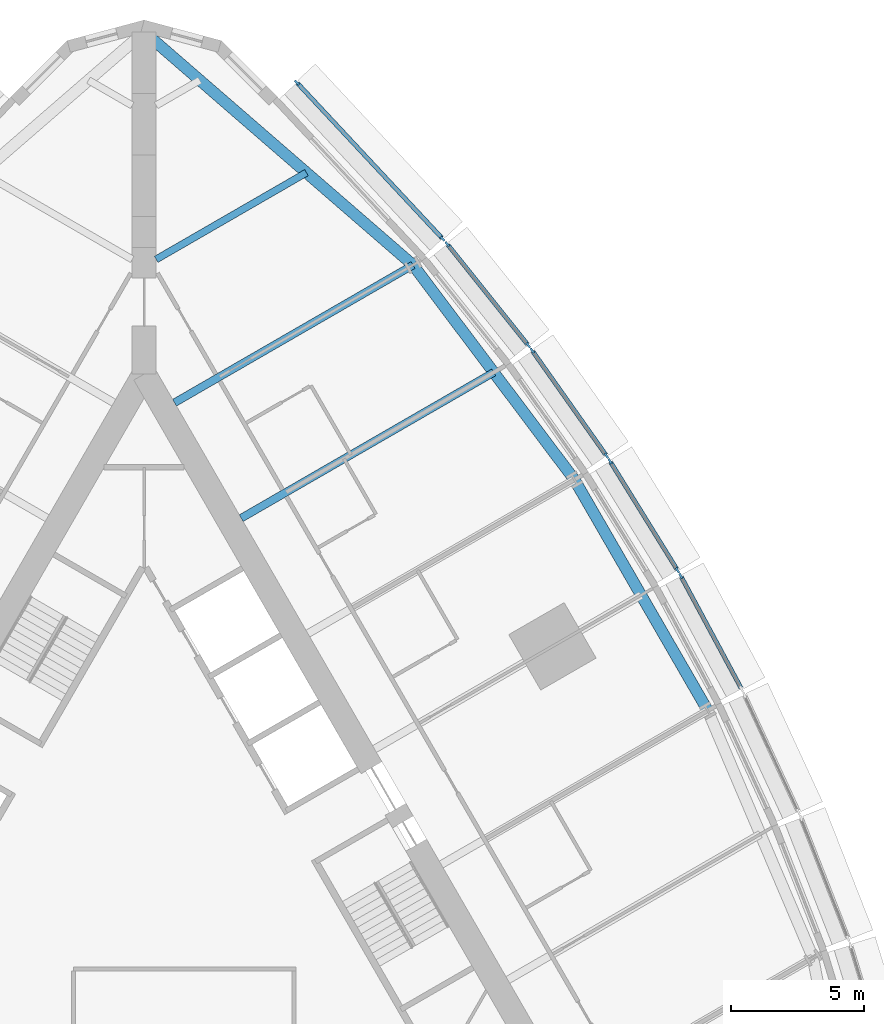
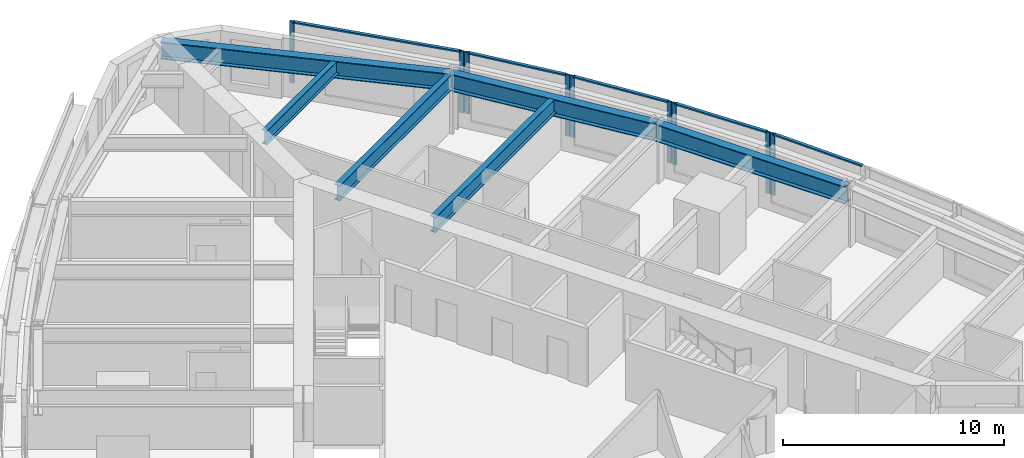
# One storey, part 5 of 14: 14 members, 6 beams, 5 elements without a shape of their own.
"""IFC4 building model written with IfcOpenShell, lengths in metres."""

from ifc_helpers import new_model, si_unit, direction, frame, origin, origin_2d, place, context, subcontext, project, spatial, rectangle, i_section, extrude, material, material_profile, profile_set, type_object, element, aggregate, save


model = new_model("IFC4")

# Units and contexts
model_context = context("Model", 3, precision=1e-05, world=origin(), true_north=direction((0.0, 1.0)))
body_context = subcontext(model_context, "Body", "Model", "MODEL_VIEW")
ifc_project = project(units=[si_unit("LENGTHUNIT", "METRE"), si_unit("AREAUNIT", "SQUARE_METRE"), si_unit("VOLUMEUNIT", "CUBIC_METRE"), si_unit("PLANEANGLEUNIT", "RADIAN"), si_unit("MASSUNIT", "GRAM", prefix="KILO")], contexts=[model_context])

# Site, building, storey
site_placement = place(None, origin())
site = spatial("IfcSite", under=ifc_project, at=site_placement, CompositionType="ELEMENT")
building_placement = place(site_placement, origin())
building = spatial("IfcBuilding", under=site, at=building_placement, Name="Trikona Tower", CompositionType="ELEMENT")
storey_placement = place(building_placement, frame((0.0, 0.0, 69.300048828125)))
storey = spatial("IfcBuildingStorey", under=building, at=storey_placement, Name="L17", CompositionType="ELEMENT", Elevation=69.300048828125)

# Curtain wall, member
ifc_material_1 = material(Name="Aluminium curtain wall system", Category="aluminium")
curtain_wall_type = type_object("IfcCurtainWallType", Name="Curtain wall DS1", PredefinedType="NOTDEFINED", material=ifc_material_1)
curtain_wall_1_placement = place(storey_placement, origin())
curtain_wall_1 = element("IfcCurtainWall", 1, at=curtain_wall_1_placement, inside=storey, type_object=curtain_wall_type, Name="Curtain wall DS1 L17", PredefinedType="NOTDEFINED")
ifc_material_2 = material(Name="Aluminium mullion, pale anodised", Category="aluminium")
ifc_material_profile_1 = material_profile(ifc_material_2, rectangle(XDim=0.080078125, YDim=0.219970703125, at=origin_2d()), Name="MUL-DS1")
ifc_profile_set_1 = profile_set([ifc_material_profile_1], Name="Aluminium mullion, pale anodised")
member_type_1 = type_object("IfcMemberType", Name="Mullion DS1 80x220", PredefinedType="MULLION", material=ifc_profile_set_1)
member_1_placement = place(storey_placement, frame((20.128662109375, 11.474365234375, 0.0), z_axis=(0.0, 0.0, 1.0), x_axis=(-0.880843080975, -0.473408350896, 0.0)))
member_1 = element("IfcMember", 2, at=member_1_placement, type_object=member_type_1, Name="CW-DS1 mullion 2", PredefinedType="MULLION", context=body_context, shape_type="SweptSolid", body=[
    extrude(rectangle(XDim=0.080078125, YDim=0.219970703125, at=origin_2d()), origin(), (0.0, 0.0, 1.0), 3.39990234375),
])

# Curtain wall, members
curtain_wall_2_placement = place(storey_placement, origin())
curtain_wall_2 = element("IfcCurtainWall", 3, at=curtain_wall_2_placement, inside=storey, type_object=curtain_wall_type, Name="Curtain wall DS1 L17", PredefinedType="NOTDEFINED")
member_2_placement = place(storey_placement, frame((20.00146484375, 11.69482421875, 0.0), z_axis=(0.0, 0.0, 1.0), x_axis=(-0.850410468941, -0.526119790842, 0.0)))
member_2 = element("IfcMember", 4, at=member_2_placement, type_object=member_type_1, Name="CW-DS1 mullion 1", PredefinedType="MULLION", context=body_context, shape_type="SweptSolid", body=[
    extrude(rectangle(XDim=0.080078125, YDim=0.219970703125, at=origin_2d()), origin(), (0.0, 0.0, 1.0), 3.39990234375),
])
member_3_placement = place(storey_placement, frame((17.474853515625, 15.77880859375, 0.0), z_axis=(0.0, 0.0, 1.0), x_axis=(-0.850410468941, -0.526119790842, 0.0)))
member_3 = element("IfcMember", 5, at=member_3_placement, type_object=member_type_1, Name="CW-DS1 mullion 2", PredefinedType="MULLION", context=body_context, shape_type="SweptSolid", body=[
    extrude(rectangle(XDim=0.080078125, YDim=0.219970703125, at=origin_2d()), origin(), (0.0, 0.0, 1.0), 3.39990234375),
])

curtain_wall_3_placement = place(storey_placement, origin())
curtain_wall_3 = element("IfcCurtainWall", 6, at=curtain_wall_3_placement, inside=storey, type_object=curtain_wall_type, Name="Curtain wall DS1 L17", PredefinedType="NOTDEFINED")
member_4_placement = place(storey_placement, frame((17.33447265625, 15.990966796875, 0.0), z_axis=(0.0, 0.0, 1.0), x_axis=(-0.816985393055, -0.576658362928, 0.0)))
member_4 = element("IfcMember", 7, at=member_4_placement, type_object=member_type_1, Name="CW-DS1 mullion 1", PredefinedType="MULLION", context=body_context, shape_type="SweptSolid", body=[
    extrude(rectangle(XDim=0.080078125, YDim=0.219970703125, at=origin_2d()), origin(), (0.0, 0.0, 1.0), 3.39990234375),
])
member_5_placement = place(storey_placement, frame((14.554443359375, 19.929443359375, 0.0), z_axis=(0.0, 0.0, 1.0), x_axis=(-0.816985393055, -0.576658362928, 0.0)))
member_5 = element("IfcMember", 8, at=member_5_placement, type_object=member_type_1, Name="CW-DS1 mullion 2", PredefinedType="MULLION", context=body_context, shape_type="SweptSolid", body=[
    extrude(rectangle(XDim=0.080078125, YDim=0.219970703125, at=origin_2d()), origin(), (0.0, 0.0, 1.0), 3.39990234375),
])

curtain_wall_4_placement = place(storey_placement, origin())
curtain_wall_4 = element("IfcCurtainWall", 9, at=curtain_wall_4_placement, inside=storey, type_object=curtain_wall_type, Name="Curtain wall DS1 L17", PredefinedType="NOTDEFINED")
member_6_placement = place(storey_placement, frame((14.40185546875, 20.13232421875, 0.0), z_axis=(0.0, 0.0, 1.0), x_axis=(-0.780937959679, -0.624608599951, 0.0)))
member_6 = element("IfcMember", 10, at=member_6_placement, type_object=member_type_1, Name="CW-DS1 mullion 1", PredefinedType="MULLION", context=body_context, shape_type="SweptSolid", body=[
    extrude(rectangle(XDim=0.080078125, YDim=0.219970703125, at=origin_2d()), origin(), (0.0, 0.0, 1.0), 3.39990234375),
])
member_7_placement = place(storey_placement, frame((11.36767578125, 23.926025390625, 0.0), z_axis=(0.0, 0.0, 1.0), x_axis=(-0.780937959679, -0.624608599951, 0.0)))
member_7 = element("IfcMember", 11, at=member_7_placement, type_object=member_type_1, Name="CW-DS1 mullion 2", PredefinedType="MULLION", context=body_context, shape_type="SweptSolid", body=[
    extrude(rectangle(XDim=0.080078125, YDim=0.219970703125, at=origin_2d()), origin(), (0.0, 0.0, 1.0), 3.39990234375),
])

curtain_wall_5_placement = place(storey_placement, origin())
curtain_wall_5 = element("IfcCurtainWall", 12, at=curtain_wall_5_placement, inside=storey, type_object=curtain_wall_type, Name="Curtain wall DS1 L17", PredefinedType="NOTDEFINED")
member_8_placement = place(storey_placement, frame((11.192138671875, 24.129150390625, 0.0), z_axis=(0.0, 0.0, 1.0), x_axis=(-0.731076639405, -0.682295351967, 0.0)))
member_8 = element("IfcMember", 13, at=member_8_placement, type_object=member_type_1, Name="CW-DS1 mullion 1", PredefinedType="MULLION", context=body_context, shape_type="SweptSolid", body=[
    extrude(rectangle(XDim=0.080078125, YDim=0.219970703125, at=origin_2d()), origin(), (0.0, 0.0, 1.0), 3.39990234375),
])
member_9_placement = place(storey_placement, frame((5.72607421875, 29.98583984375, 0.0), z_axis=(0.0, 0.0, 1.0), x_axis=(-0.731076639405, -0.682295351967, 0.0)))
member_9 = element("IfcMember", 14, at=member_9_placement, type_object=member_type_1, Name="CW-DS1 mullion 2", PredefinedType="MULLION", context=body_context, shape_type="SweptSolid", body=[
    extrude(rectangle(XDim=0.080078125, YDim=0.219970703125, at=origin_2d()), origin(), (0.0, 0.0, 1.0), 3.39990234375),
])

# Beams
ifc_material_3 = material(Name="Steel ASTM A992 Grade 50", Category="steel")
ifc_material_profile_2 = material_profile(ifc_material_3, i_section(OverallWidth=0.2666015625, OverallDepth=0.76953125, WebThickness=0.015625, FlangeThickness=0.025390625, at=origin_2d()), Name="W30X132")
ifc_profile_set_2 = profile_set([ifc_material_profile_2], Name="Steel ASTM A992 Grade 50")
beam_type_1 = type_object("IfcBeamType", Name="Steel beam W30x132 (wedge)", PredefinedType="BEAM", material=ifc_profile_set_2)
beam_1_placement = place(storey_placement, frame((0.449951171875, 23.353759765625, 2.85009765625), z_axis=(0.866022504693, 0.50000502134, 0.0), x_axis=(-0.50000502134, 0.866022504693, 0.0)))
element("IfcBeam", 15, at=beam_1_placement, inside=storey, type_object=beam_type_1, Name="Floor beam L18 F2 u20", PredefinedType="BEAM", context=body_context, shape_type="SweptSolid", body=[
    extrude(i_section(OverallWidth=0.2666015625, OverallDepth=0.76953125, WebThickness=0.015625, FlangeThickness=0.025390625, at=origin_2d()), origin(), (0.0, 0.0, 1.0), 6.5068359375),
])
ifc_material_4 = material(Name="Steel ASTM A992 Grade 50", Category="steel")
ifc_material_profile_3 = material_profile(ifc_material_4, i_section(OverallWidth=0.2919921875, OverallDepth=0.845703125, WebThickness=0.015380859375, FlangeThickness=0.0244140625, at=origin_2d()), Name="W33X141")
ifc_profile_set_3 = profile_set([ifc_material_profile_3], Name="Steel ASTM A992 Grade 50")
beam_type_2 = type_object("IfcBeamType", Name="Steel beam W33x141 (radial typ)", PredefinedType="BEAM", material=ifc_profile_set_3)
beam_2_placement = place(storey_placement, frame((3.6396484375, 13.6484375, 2.81201171875), z_axis=(0.866025348605, 0.500000095573, 0.0), x_axis=(-0.500000095573, 0.866025348605, 0.0)))
element("IfcBeam", 16, at=beam_2_placement, inside=storey, type_object=beam_type_2, Name="Floor beam L18 F2 u10", PredefinedType="BEAM", context=body_context, shape_type="SweptSolid", body=[
    extrude(i_section(OverallWidth=0.2919921875, OverallDepth=0.845703125, WebThickness=0.015380859375, FlangeThickness=0.0244140625, at=origin_2d()), origin(), (0.0, 0.0, 1.0), 10.935546875),
])
beam_3_placement = place(storey_placement, frame((1.1396484375, 17.978515625, 2.81201171875), z_axis=(0.866030471684, 0.499991222037, 0.0), x_axis=(-0.499991222037, 0.866030471684, 0.0)))
element("IfcBeam", 17, at=beam_3_placement, inside=storey, type_object=beam_type_2, Name="Floor beam L18 F2 u15", PredefinedType="BEAM", context=body_context, shape_type="SweptSolid", body=[
    extrude(i_section(OverallWidth=0.2919921875, OverallDepth=0.845703125, WebThickness=0.015380859375, FlangeThickness=0.0244140625, at=origin_2d()), origin(), (0.0, 0.0, 1.0), 10.326904296875),
])
ifc_material_5 = material(Name="Steel ASTM A992 Grade 50", Category="steel")
ifc_material_profile_4 = material_profile(ifc_material_5, i_section(OverallWidth=0.424072265625, OverallDepth=0.947509765625, WebThickness=0.02392578125, FlangeThickness=0.042724609375, at=origin_2d()), Name="W36X302")
ifc_profile_set_4 = profile_set([ifc_material_profile_4], Name="Steel ASTM A992 Grade 50")
beam_type_3 = type_object("IfcBeamType", Name="Steel beam W36x302 (spandrel)", PredefinedType="SPANDREL", material=ifc_profile_set_4)
beam_4_placement = place(storey_placement, frame((21.13720703125, 6.43017578125, 2.76123046875), z_axis=(-0.500004234368, 0.866022959057, 0.0), x_axis=(-0.866022959057, -0.500004234368, 0.0)))
element("IfcBeam", 18, at=beam_4_placement, inside=storey, type_object=beam_type_3, Name="Spandrel beam L18 F2-3", PredefinedType="SPANDREL", context=body_context, shape_type="SweptSolid", body=[
    extrude(i_section(OverallWidth=0.424072265625, OverallDepth=0.947509765625, WebThickness=0.02392578125, FlangeThickness=0.042724609375, at=origin_2d()), origin(), (0.0, 0.0, 1.0), 10.0),
])
beam_5_placement = place(storey_placement, frame((16.13720703125, 15.09033203125, 2.76123046875), z_axis=(-0.600988344191, 0.799257787042, 0.0), x_axis=(-0.799257787042, -0.600988344191, 0.0)))
element("IfcBeam", 19, at=beam_5_placement, inside=storey, type_object=beam_type_3, Name="Spandrel beam L18 F2-4", PredefinedType="SPANDREL", context=body_context, shape_type="SweptSolid", body=[
    extrude(i_section(OverallWidth=0.424072265625, OverallDepth=0.947509765625, WebThickness=0.02392578125, FlangeThickness=0.042724609375, at=origin_2d()), origin(), (0.0, 0.0, 1.0), 10.07373046875),
])
beam_6_placement = place(storey_placement, frame((10.0830078125, 23.141845703125, 2.76123046875), z_axis=(-0.755646822726, 0.654979296851, 0.0), x_axis=(-0.654979296851, -0.755646822726, 0.0)))
element("IfcBeam", 20, at=beam_6_placement, inside=storey, type_object=beam_type_3, Name="Spandrel beam L18 F2-5", PredefinedType="SPANDREL", context=body_context, shape_type="SweptSolid", body=[
    extrude(i_section(OverallWidth=0.424072265625, OverallDepth=0.947509765625, WebThickness=0.02392578125, FlangeThickness=0.042724609375, at=origin_2d()), origin(), (0.0, 0.0, 1.0), 13.343505859375),
])

# Member
ifc_material_6 = material(Name="Aluminium transom, pale anodised", Category="aluminium")
ifc_material_profile_5 = material_profile(ifc_material_6, rectangle(XDim=0.159912109375, YDim=0.080078125, at=origin_2d()), Name="TRN-DS1")
ifc_profile_set_5 = profile_set([ifc_material_profile_5], Name="Aluminium transom, pale anodised")
member_type_2 = type_object("IfcMemberType", Name="Transom DS1 80x160", PredefinedType="USERDEFINED", material=ifc_profile_set_5)
member_10_placement = place(storey_placement, frame((22.38330078125, 7.279541015625, 3.35986328125), z_axis=(-0.473427569755, 0.880832751546, 0.0), x_axis=(-0.880832751546, -0.473427569755, 0.0)))
member_10 = element("IfcMember", 21, at=member_10_placement, type_object=member_type_2, Name="CW-DS1 transom 1.1", ObjectType="TRANSOM", PredefinedType="USERDEFINED", context=body_context, shape_type="SweptSolid", body=[
    extrude(rectangle(XDim=0.159912109375, YDim=0.080078125, at=origin_2d()), origin(), (0.0, 0.0, 1.0), 4.72216796875),
])

aggregate(curtain_wall_1, [member_1, member_10])

member_11_placement = place(storey_placement, frame((19.980224609375, 11.728759765625, 3.35986328125), z_axis=(-0.526080502257, 0.850434774186, 0.0), x_axis=(-0.850434774186, -0.526080502257, 0.0)))
member_11 = element("IfcMember", 22, at=member_11_placement, type_object=member_type_2, Name="CW-DS1 transom 1.1", ObjectType="TRANSOM", PredefinedType="USERDEFINED", context=body_context, shape_type="SweptSolid", body=[
    extrude(rectangle(XDim=0.159912109375, YDim=0.080078125, at=origin_2d()), origin(), (0.0, 0.0, 1.0), 4.722412109375),
])

aggregate(curtain_wall_2, [member_2, member_3, member_11])

member_12_placement = place(storey_placement, frame((17.311279296875, 16.023681640625, 3.35986328125), z_axis=(-0.57664478015, 0.816994980111, 0.0), x_axis=(-0.816994980111, -0.57664478015, 0.0)))
member_12 = element("IfcMember", 23, at=member_12_placement, type_object=member_type_2, Name="CW-DS1 transom 1.1", ObjectType="TRANSOM", PredefinedType="USERDEFINED", context=body_context, shape_type="SweptSolid", body=[
    extrude(rectangle(XDim=0.159912109375, YDim=0.080078125, at=origin_2d()), origin(), (0.0, 0.0, 1.0), 4.740478515625),
])

aggregate(curtain_wall_3, [member_4, member_5, member_12])

member_13_placement = place(storey_placement, frame((14.376953125, 20.16357421875, 3.35986328125), z_axis=(-0.624589103832, 0.780953552636, 0.0), x_axis=(-0.780953552636, -0.624589103832, 0.0)))
member_13 = element("IfcMember", 24, at=member_13_placement, type_object=member_type_2, Name="CW-DS1 transom 1.1", ObjectType="TRANSOM", PredefinedType="USERDEFINED", context=body_context, shape_type="SweptSolid", body=[
    extrude(rectangle(XDim=0.159912109375, YDim=0.080078125, at=origin_2d()), origin(), (0.0, 0.0, 1.0), 4.77783203125),
])

aggregate(curtain_wall_4, [member_6, member_7, member_13])

member_14_placement = place(storey_placement, frame((11.164794921875, 24.158203125, 3.35986328125), z_axis=(-0.682290830921, 0.731080858758, 0.0), x_axis=(-0.731080858758, -0.682290830921, 0.0)))
member_14 = element("IfcMember", 25, at=member_14_placement, type_object=member_type_2, Name="CW-DS1 transom 1.1", ObjectType="TRANSOM", PredefinedType="USERDEFINED", context=body_context, shape_type="SweptSolid", body=[
    extrude(rectangle(XDim=0.159912109375, YDim=0.080078125, at=origin_2d()), origin(), (0.0, 0.0, 1.0), 7.93115234375),
])

aggregate(curtain_wall_5, [member_8, member_9, member_14])

save(model, "model.ifc")
